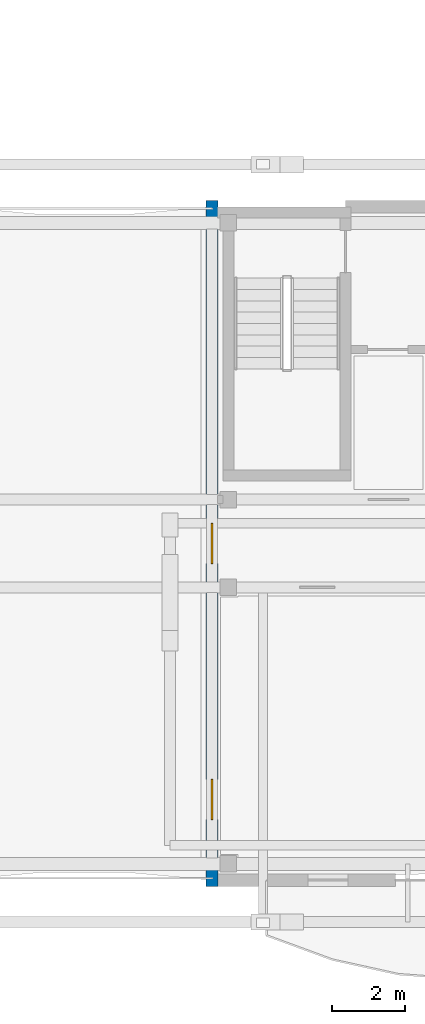
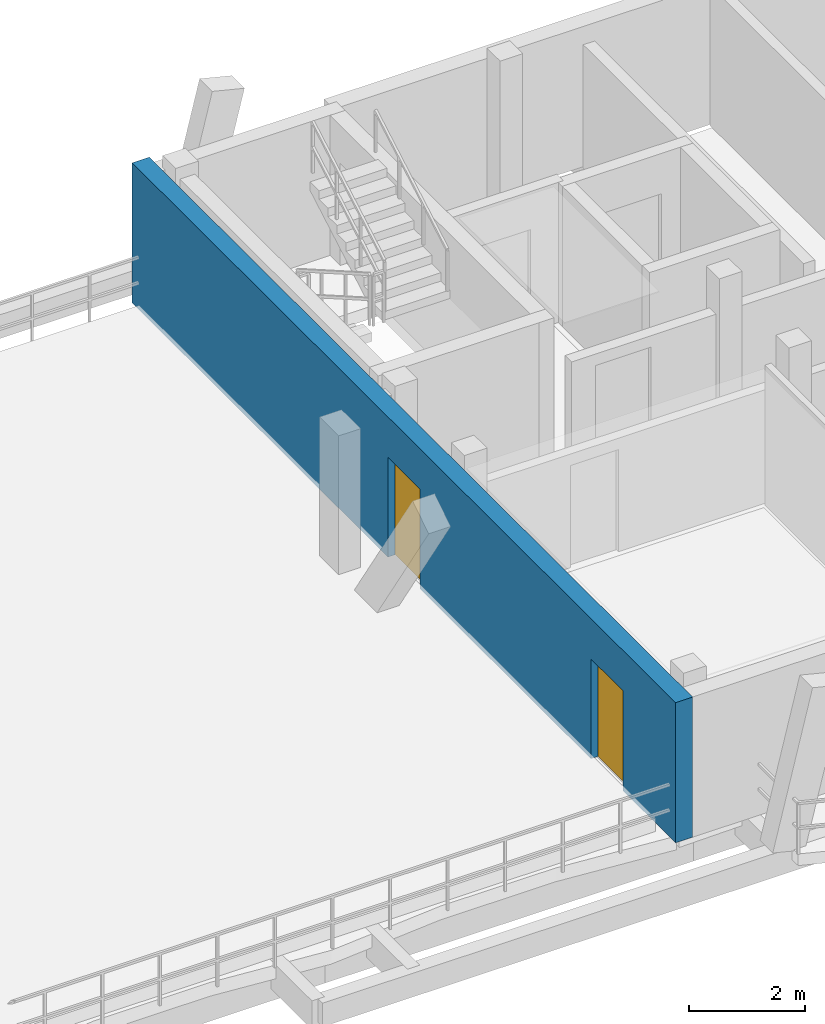
# One storey, part 20 of 48: 2 doors, 1 wall, 2 openings.
"""IFC4 building model written with IfcOpenShell, lengths in metres."""

from ifc_helpers import new_model, si_unit, direction, frame, frame_2d, origin, place, context, subcontext, project, spatial, rectangle, extrude, material, layer, layer_set, type_object, element, fill, save


model = new_model("IFC4")

# Units and contexts
model_context = context("Model", 3, precision=1e-05, world=origin(), true_north=direction((0.0, 1.0)))
body_context = subcontext(model_context, "Body", "Model", "MODEL_VIEW")
ifc_project = project(units=[si_unit("LENGTHUNIT", "METRE"), si_unit("AREAUNIT", "SQUARE_METRE"), si_unit("VOLUMEUNIT", "CUBIC_METRE"), si_unit("PLANEANGLEUNIT", "RADIAN"), si_unit("MASSUNIT", "GRAM", prefix="KILO")], contexts=[model_context])

# Site, building, storey
site_placement = place(None, origin())
site = spatial("IfcSite", under=ifc_project, at=site_placement, CompositionType="ELEMENT")
building_placement = place(site_placement, origin())
building = spatial("IfcBuilding", under=site, at=building_placement, Name="Zavelmont Quarter", CompositionType="ELEMENT")
storey_placement = place(building_placement, frame((0.0, 0.0, 17.60009765625)))
storey = spatial("IfcBuildingStorey", under=building, at=storey_placement, Name="L05", CompositionType="ELEMENT", Elevation=17.60009765625)

# Wall, openings, doors
ifc_material_1 = material(Name="Natural Belgian limestone", Category="masonry")
ifc_layer = layer(ifc_material_1, 0.340087890625)
ifc_layer_set = layer_set([ifc_layer], Name="Natural Belgian limestone")
wall_type = type_object("IfcWallType", Name="EW03", PredefinedType="STANDARD", material=ifc_layer_set)
wall_placement = place(storey_placement, frame((126.60009765625, -0.169921875, 0.0), z_axis=(0.0, 0.0, 1.0), x_axis=(0.0, 1.0, 0.0)))
wall = element("IfcWall", 1, at=wall_placement, inside=storey, type_object=wall_type, Name="L05 exterior limestone wall EW03", PredefinedType="STANDARD", context=body_context, shape_type="SweptSolid", body=[
    extrude(rectangle(XDim=18.739990234375, YDim=0.340087890625, at=frame_2d((9.3701171875, 0.0))), origin(), (0.0, 0.0, 1.0), 2.949951171875),
])
opening_1_placement = place(wall_placement, frame((8.820068359375, 0.0, 0.0)))
opening_1 = element("IfcOpeningElement", 2, at=opening_1_placement, cuts=wall, Name="Opening DR04B", PredefinedType="OPENING", context=body_context, shape_type="SweptSolid", body=[
    extrude(rectangle(XDim=1.10009765625, YDim=2.10009765625, at=frame_2d((0.550048828125, 1.050048828125))), frame((0.0, 0.18212890625, 0.0), z_axis=(0.0, -1.0, 0.0), x_axis=(1.0, 0.0, 0.0)), (0.0, 0.0, 1.0), 0.364013671875),
])
opening_2_placement = place(wall_placement, frame((1.820068359375, 0.0, 0.0)))
opening_2 = element("IfcOpeningElement", 3, at=opening_2_placement, cuts=wall, Name="Opening DR04B", PredefinedType="OPENING", context=body_context, shape_type="SweptSolid", body=[
    extrude(rectangle(XDim=1.10009765625, YDim=2.10009765625, at=frame_2d((0.550048828125, 1.050048828125))), frame((0.0, 0.18212890625, 0.0), z_axis=(0.0, -1.0, 0.0), x_axis=(1.0, 0.0, 0.0)), (0.0, 0.0, 1.0), 0.364013671875),
])
ifc_material_2 = material(Name="Thermally broken aluminium and double safety glass", Category="aluminium")
door_type = type_object("IfcDoorType", Name="DR04B", OperationType="NOTDEFINED", PredefinedType="DOOR", material=ifc_material_2)
door_1_placement = place(opening_1_placement, frame((1.10009765625, 0.0, 0.0), z_axis=(0.0, 0.0, 1.0), x_axis=(-1.0, 0.0, 0.0)))
door_1 = element("IfcDoor", 4, at=door_1_placement, inside=storey, type_object=door_type, Name="Block D L05 terrace or vase balcony door", OperationType="SINGLE_SWING_RIGHT", OverallHeight=2.10009765625, OverallWidth=1.10009765625, PredefinedType="DOOR", context=body_context, shape_type="SweptSolid", body=[
    extrude(rectangle(XDim=1.10009765625, YDim=2.10009765625, at=frame_2d((0.550048828125, 1.050048828125))), frame((0.0, 0.02490234375, 0.0), z_axis=(0.0, -1.0, 0.0), x_axis=(1.0, 0.0, 0.0)), (0.0, 0.0, 1.0), 0.050048828125),
])
fill(opening_1, door_1)
door_2_placement = place(opening_2_placement, frame((1.10009765625, 0.0, 0.0), z_axis=(0.0, 0.0, 1.0), x_axis=(-1.0, 0.0, 0.0)))
door_2 = element("IfcDoor", 5, at=door_2_placement, inside=storey, type_object=door_type, Name="Block D L05 terrace or vase balcony door", OperationType="SINGLE_SWING_LEFT", OverallHeight=2.10009765625, OverallWidth=1.10009765625, PredefinedType="DOOR", context=body_context, shape_type="SweptSolid", body=[
    extrude(rectangle(XDim=1.10009765625, YDim=2.10009765625, at=frame_2d((0.550048828125, 1.050048828125))), frame((0.0, 0.02490234375, 0.0), z_axis=(0.0, -1.0, 0.0), x_axis=(1.0, 0.0, 0.0)), (0.0, 0.0, 1.0), 0.050048828125),
])
fill(opening_2, door_2)

save(model, "model.ifc")
